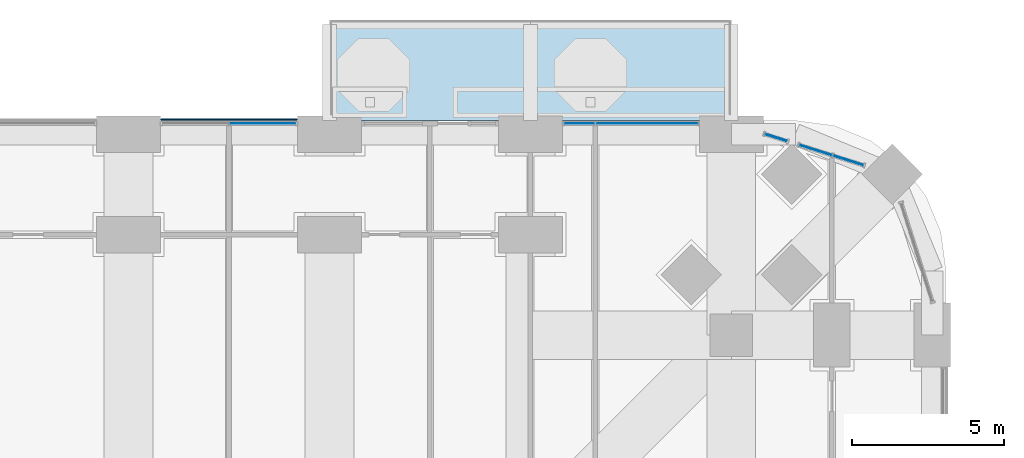
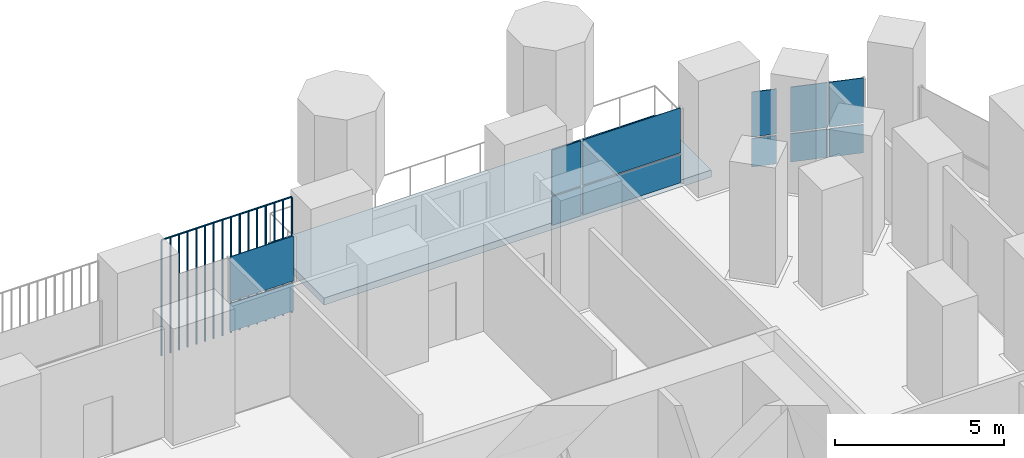
# One storey, part 17 of 27: 13 plates, 1 slab, 4 elements without a shape of their own.
"""IFC4 building model written with IfcOpenShell, lengths in metres."""

from ifc_helpers import new_model, si_unit, direction, frame, origin, origin_2d, place, context, subcontext, project, spatial, polyline, rectangle, outline, extrude, material, layer, layer_set, type_object, element, aggregate, save


model = new_model("IFC4")

# Units and contexts
model_context = context("Model", 3, precision=1e-05, world=origin(), true_north=direction((0.0, 1.0)))
body_context = subcontext(model_context, "Body", "Model", "MODEL_VIEW")
ifc_project = project(units=[si_unit("LENGTHUNIT", "METRE"), si_unit("AREAUNIT", "SQUARE_METRE"), si_unit("VOLUMEUNIT", "CUBIC_METRE"), si_unit("PLANEANGLEUNIT", "RADIAN"), si_unit("MASSUNIT", "GRAM", prefix="KILO")], contexts=[model_context])

# Site, building, storey
site_placement = place(None, origin())
site = spatial("IfcSite", under=ifc_project, at=site_placement, CompositionType="ELEMENT")
building_placement = place(site_placement, origin())
building = spatial("IfcBuilding", under=site, at=building_placement, Name="Cobogo Forest Laboratory Tower", CompositionType="ELEMENT")
storey_placement = place(building_placement, frame((0.0, 0.0, 54.89990234375)))
storey = spatial("IfcBuildingStorey", under=building, at=storey_placement, Name="L12", CompositionType="ELEMENT", Elevation=54.89990234375)

# Slab
ifc_material_1 = material(Name="Concrete HA-40 (C40/50)", Category="concrete")
ifc_layer_1 = layer(ifc_material_1, 0.25)
ifc_layer_set_1 = layer_set([ifc_layer_1], Name="Balcony slab 250")
slab_type = type_object("IfcSlabType", Name="Balcony slab 250", PredefinedType="FLOOR", material=ifc_layer_set_1)
slab_placement = place(storey_placement, frame((0.0, 0.0, -0.25)))
element("IfcSlab", 1, at=slab_placement, inside=storey, type_object=slab_type, Name="Balcony BAL-N2 L12", PredefinedType="FLOOR", context=body_context, shape_type="SweptSolid", body=[
    extrude(outline(polyline([(33.0, 46.64990234375), (46.199951171875, 46.64990234375), (46.199951171875, 49.949951171875), (33.0, 49.949951171875), (33.0, 46.64990234375)])), origin(), (0.0, 0.0, 1.0), 0.25),
])

# Curtain wall, plates
ifc_material_2 = material(Name="Aluminium curtain wall", Category="aluminium")
curtain_wall_type = type_object("IfcCurtainWallType", Name="CW-1 unitised curtain wall, clear glazing, laboratory floors zones A and B", PredefinedType="USERDEFINED", material=ifc_material_2)
curtain_wall_1_placement = place(storey_placement, origin())
curtain_wall_1 = element("IfcCurtainWall", 2, at=curtain_wall_1_placement, inside=storey, type_object=curtain_wall_type, Name="Curtain wall 16 L12", ObjectType="UNITISED CURTAIN WALL", PredefinedType="USERDEFINED")
ifc_material_3 = material(Name="Clear insulated glass", Category="glass")
ifc_layer_2 = layer(ifc_material_3, 0.028076171875)
ifc_layer_set_2 = layer_set([ifc_layer_2], Name="GP-1 clear insulated glass unit 28")
plate_type_1 = type_object("IfcPlateType", Name="GP-1 clear insulated glass unit 28", PredefinedType="CURTAIN_PANEL", material=ifc_layer_set_2)
plate_1_placement = place(storey_placement, frame((50.042724609375, 45.33642578125, 0.0), z_axis=(0.0, 0.0, 1.0), x_axis=(-0.953581409645, 0.301135343623, 0.0)))
plate_1 = element("IfcPlate", 3, at=plate_1_placement, type_object=plate_type_1, Name="CW-1 panel 1.1", PredefinedType="CURTAIN_PANEL", context=body_context, shape_type="SweptSolid", body=[
    extrude(rectangle(XDim=1.027587890625, YDim=0.028076171875, at=origin_2d()), origin(), (0.0, 0.0, 1.0), 1.02001953125),
])
plate_2_placement = place(storey_placement, frame((50.042724609375, 45.33642578125, 1.080078125), z_axis=(0.0, 0.0, 1.0), x_axis=(-0.953581409645, 0.301135343623, 0.0)))
plate_2 = element("IfcPlate", 4, at=plate_2_placement, type_object=plate_type_1, Name="CW-1 panel 1.2", PredefinedType="CURTAIN_PANEL", context=body_context, shape_type="SweptSolid", body=[
    extrude(rectangle(XDim=1.027587890625, YDim=0.028076171875, at=origin_2d()), origin(), (0.0, 0.0, 1.0), 1.6201171875),
])
plate_3_placement = place(storey_placement, frame((48.963623046875, 45.67724609375, 0.0), z_axis=(0.0, 0.0, 1.0), x_axis=(-0.953581409645, 0.301135343623, 0.0)))
plate_3 = element("IfcPlate", 5, at=plate_3_placement, type_object=plate_type_1, Name="CW-1 panel 2.1", PredefinedType="CURTAIN_PANEL", context=body_context, shape_type="SweptSolid", body=[
    extrude(rectangle(XDim=1.11572265625, YDim=0.028076171875, at=origin_2d()), origin(), (0.0, 0.0, 1.0), 1.02001953125),
])
plate_4_placement = place(storey_placement, frame((48.963623046875, 45.67724609375, 1.080078125), z_axis=(0.0, 0.0, 1.0), x_axis=(-0.953581409645, 0.301135343623, 0.0)))
plate_4 = element("IfcPlate", 6, at=plate_4_placement, type_object=plate_type_1, Name="CW-1 panel 2.2", PredefinedType="CURTAIN_PANEL", context=body_context, shape_type="SweptSolid", body=[
    extrude(rectangle(XDim=1.11572265625, YDim=0.028076171875, at=origin_2d()), origin(), (0.0, 0.0, 1.0), 1.6201171875),
])
aggregate(curtain_wall_1, [plate_1, plate_2, plate_3, plate_4])

curtain_wall_2_placement = place(storey_placement, origin())
curtain_wall_2 = element("IfcCurtainWall", 7, at=curtain_wall_2_placement, inside=storey, type_object=curtain_wall_type, Name="Curtain wall 17 L12", ObjectType="UNITISED CURTAIN WALL", PredefinedType="USERDEFINED")
plate_5_placement = place(storey_placement, frame((47.666015625, 46.087158203125, 0.0), z_axis=(0.0, 0.0, 1.0), x_axis=(-0.953581504428, 0.301135043481, 0.0)))
plate_5 = element("IfcPlate", 8, at=plate_5_placement, type_object=plate_type_1, Name="CW-1 panel 1.1", PredefinedType="CURTAIN_PANEL", context=body_context, shape_type="SweptSolid", body=[
    extrude(rectangle(XDim=0.75244140625, YDim=0.028076171875, at=origin_2d()), origin(), (0.0, 0.0, 1.0), 1.02001953125),
])
plate_6_placement = place(storey_placement, frame((47.666015625, 46.087158203125, 1.080078125), z_axis=(0.0, 0.0, 1.0), x_axis=(-0.953581504428, 0.301135043481, 0.0)))
plate_6 = element("IfcPlate", 9, at=plate_6_placement, type_object=plate_type_1, Name="CW-1 panel 1.2", PredefinedType="CURTAIN_PANEL", context=body_context, shape_type="SweptSolid", body=[
    extrude(rectangle(XDim=0.75244140625, YDim=0.028076171875, at=origin_2d()), origin(), (0.0, 0.0, 1.0), 1.6201171875),
])
aggregate(curtain_wall_2, [plate_5, plate_6])

curtain_wall_3_placement = place(storey_placement, origin())
curtain_wall_3 = element("IfcCurtainWall", 10, at=curtain_wall_3_placement, inside=storey, type_object=curtain_wall_type, Name="Curtain wall 18 L12", ObjectType="UNITISED CURTAIN WALL", PredefinedType="USERDEFINED")
plate_7_placement = place(storey_placement, frame((43.422607421875, 46.550048828125, 0.0), z_axis=(0.0, 0.0, 1.0), x_axis=(-1.0, 0.0, 0.0)))
plate_7 = element("IfcPlate", 11, at=plate_7_placement, type_object=plate_type_1, Name="CW-1 panel 1.1", PredefinedType="CURTAIN_PANEL", context=body_context, shape_type="SweptSolid", body=[
    extrude(rectangle(XDim=3.3349609375, YDim=0.028076171875, at=origin_2d()), origin(), (0.0, 0.0, 1.0), 1.02001953125),
])
plate_8_placement = place(storey_placement, frame((43.422607421875, 46.550048828125, 1.080078125), z_axis=(0.0, 0.0, 1.0), x_axis=(-1.0, 0.0, 0.0)))
plate_8 = element("IfcPlate", 12, at=plate_8_placement, type_object=plate_type_1, Name="CW-1 panel 1.2", PredefinedType="CURTAIN_PANEL", context=body_context, shape_type="SweptSolid", body=[
    extrude(rectangle(XDim=3.3349609375, YDim=0.028076171875, at=origin_2d()), origin(), (0.0, 0.0, 1.0), 1.6201171875),
])
plate_9_placement = place(storey_placement, frame((41.202392578125, 46.550048828125, 0.0), z_axis=(0.0, 0.0, 1.0), x_axis=(-1.0, 0.0, 0.0)))
plate_9 = element("IfcPlate", 13, at=plate_9_placement, type_object=plate_type_1, Name="CW-1 panel 2.1", PredefinedType="CURTAIN_PANEL", context=body_context, shape_type="SweptSolid", body=[
    extrude(rectangle(XDim=0.985107421875, YDim=0.028076171875, at=origin_2d()), origin(), (0.0, 0.0, 1.0), 1.02001953125),
])
plate_10_placement = place(storey_placement, frame((41.202392578125, 46.550048828125, 1.080078125), z_axis=(0.0, 0.0, 1.0), x_axis=(-1.0, 0.0, 0.0)))
plate_10 = element("IfcPlate", 14, at=plate_10_placement, type_object=plate_type_1, Name="CW-1 panel 2.2", PredefinedType="CURTAIN_PANEL", context=body_context, shape_type="SweptSolid", body=[
    extrude(rectangle(XDim=0.985107421875, YDim=0.028076171875, at=origin_2d()), origin(), (0.0, 0.0, 1.0), 1.6201171875),
])
aggregate(curtain_wall_3, [plate_7, plate_8, plate_9, plate_10])

curtain_wall_4_placement = place(storey_placement, origin())
curtain_wall_4 = element("IfcCurtainWall", 15, at=curtain_wall_4_placement, inside=storey, type_object=curtain_wall_type, Name="Curtain wall 20 L12", ObjectType="UNITISED CURTAIN WALL", PredefinedType="USERDEFINED")
plate_11_placement = place(storey_placement, frame((30.81005859375, 46.550048828125, 0.0), z_axis=(0.0, 0.0, 1.0), x_axis=(-1.0, 0.0, 0.0)))
plate_11 = element("IfcPlate", 16, at=plate_11_placement, type_object=plate_type_1, Name="CW-1 panel 1.1", PredefinedType="CURTAIN_PANEL", context=body_context, shape_type="SweptSolid", body=[
    extrude(rectangle(XDim=2.159912109375, YDim=0.028076171875, at=origin_2d()), origin(), (0.0, 0.0, 1.0), 1.02001953125),
])
plate_12_placement = place(storey_placement, frame((30.81005859375, 46.550048828125, 1.080078125), z_axis=(0.0, 0.0, 1.0), x_axis=(-1.0, 0.0, 0.0)))
plate_12 = element("IfcPlate", 17, at=plate_12_placement, type_object=plate_type_1, Name="CW-1 panel 1.2", PredefinedType="CURTAIN_PANEL", context=body_context, shape_type="SweptSolid", body=[
    extrude(rectangle(XDim=2.159912109375, YDim=0.028076171875, at=origin_2d()), origin(), (0.0, 0.0, 1.0), 1.6201171875),
])
aggregate(curtain_wall_4, [plate_11, plate_12])

# Plate
ifc_material_4 = material(Name="Terracotta", Category="masonry")
plate_type_2 = type_object("IfcPlateType", Name="TB1 terracotta baguette screen", PredefinedType="USERDEFINED", material=ifc_material_4)
plate_13_placement = place(storey_placement, frame((27.481201171875, 46.677978515625, -0.14990234375)))
element("IfcPlate", 18, at=plate_13_placement, inside=storey, type_object=plate_type_2, Name="Baguette screen N4 L12", ObjectType="BAGUETTE SCREEN", PredefinedType="USERDEFINED", context=body_context, shape_type="SweptSolid", body=[
    extrude(outline(polyline([(0.02880859375, 0.011962890625), (0.011962890625, 0.02880859375), (-0.011962890625, 0.02880859375), (-0.02880859375, 0.011962890625), (-0.02880859375, -0.011962890625), (-0.011962890625, -0.02880859375), (0.011962890625, -0.02880859375), (0.02880859375, -0.011962890625), (0.02880859375, 0.011962890625)])), frame((0.0, 0.0, 4.168701171875), z_axis=(1.0, 0.0, 0.0), x_axis=(0.0, 1.0, 0.0)), (0.0, 0.0, 1.0), 4.4375),
    extrude(outline(polyline([(0.02880859375, 0.011962890625), (0.011962890625, 0.02880859375), (-0.011962890625, 0.02880859375), (-0.02880859375, 0.011962890625), (-0.02880859375, -0.011962890625), (-0.011962890625, -0.02880859375), (0.011962890625, -0.02880859375), (0.02880859375, -0.011962890625), (0.02880859375, 0.011962890625)])), origin(), (0.0, 0.0, 1.0), 4.137451171875),
    extrude(outline(polyline([(0.02880859375, 0.011962890625), (0.011962890625, 0.02880859375), (-0.011962890625, 0.02880859375), (-0.02880859375, 0.011962890625), (-0.02880859375, -0.011962890625), (-0.011962890625, -0.02880859375), (0.011962890625, -0.02880859375), (0.02880859375, -0.011962890625), (0.02880859375, 0.011962890625)])), frame((0.2958984375, 0.0, 0.0)), (0.0, 0.0, 1.0), 4.137451171875),
    extrude(outline(polyline([(0.02880859375, 0.011962890625), (0.011962890625, 0.02880859375), (-0.011962890625, 0.02880859375), (-0.02880859375, 0.011962890625), (-0.02880859375, -0.011962890625), (-0.011962890625, -0.02880859375), (0.011962890625, -0.02880859375), (0.02880859375, -0.011962890625), (0.02880859375, 0.011962890625)])), frame((0.591552734375, 0.0, 0.0)), (0.0, 0.0, 1.0), 4.137451171875),
    extrude(outline(polyline([(0.02880859375, 0.011962890625), (0.011962890625, 0.02880859375), (-0.011962890625, 0.02880859375), (-0.02880859375, 0.011962890625), (-0.02880859375, -0.011962890625), (-0.011962890625, -0.02880859375), (0.011962890625, -0.02880859375), (0.02880859375, -0.011962890625), (0.02880859375, 0.011962890625)])), frame((0.887451171875, 0.0, 0.0)), (0.0, 0.0, 1.0), 4.137451171875),
    extrude(outline(polyline([(0.02880859375, 0.011962890625), (0.011962890625, 0.02880859375), (-0.011962890625, 0.02880859375), (-0.02880859375, 0.011962890625), (-0.02880859375, -0.011962890625), (-0.011962890625, -0.02880859375), (0.011962890625, -0.02880859375), (0.02880859375, -0.011962890625), (0.02880859375, 0.011962890625)])), frame((1.183349609375, 0.0, 0.0)), (0.0, 0.0, 1.0), 4.137451171875),
    extrude(outline(polyline([(0.02880859375, 0.011962890625), (0.011962890625, 0.02880859375), (-0.011962890625, 0.02880859375), (-0.02880859375, 0.011962890625), (-0.02880859375, -0.011962890625), (-0.011962890625, -0.02880859375), (0.011962890625, -0.02880859375), (0.02880859375, -0.011962890625), (0.02880859375, 0.011962890625)])), frame((1.479248046875, 0.0, 0.0)), (0.0, 0.0, 1.0), 4.137451171875),
    extrude(outline(polyline([(0.02880859375, 0.011962890625), (0.011962890625, 0.02880859375), (-0.011962890625, 0.02880859375), (-0.02880859375, 0.011962890625), (-0.02880859375, -0.011962890625), (-0.011962890625, -0.02880859375), (0.011962890625, -0.02880859375), (0.02880859375, -0.011962890625), (0.02880859375, 0.011962890625)])), frame((1.77490234375, 0.0, 0.0)), (0.0, 0.0, 1.0), 4.137451171875),
    extrude(outline(polyline([(0.02880859375, 0.011962890625), (0.011962890625, 0.02880859375), (-0.011962890625, 0.02880859375), (-0.02880859375, 0.011962890625), (-0.02880859375, -0.011962890625), (-0.011962890625, -0.02880859375), (0.011962890625, -0.02880859375), (0.02880859375, -0.011962890625), (0.02880859375, 0.011962890625)])), frame((2.07080078125, 0.0, 0.0)), (0.0, 0.0, 1.0), 4.137451171875),
    extrude(outline(polyline([(0.02880859375, 0.011962890625), (0.011962890625, 0.02880859375), (-0.011962890625, 0.02880859375), (-0.02880859375, 0.011962890625), (-0.02880859375, -0.011962890625), (-0.011962890625, -0.02880859375), (0.011962890625, -0.02880859375), (0.02880859375, -0.011962890625), (0.02880859375, 0.011962890625)])), frame((2.36669921875, 0.0, 0.0)), (0.0, 0.0, 1.0), 4.137451171875),
    extrude(outline(polyline([(0.02880859375, 0.011962890625), (0.011962890625, 0.02880859375), (-0.011962890625, 0.02880859375), (-0.02880859375, 0.011962890625), (-0.02880859375, -0.011962890625), (-0.011962890625, -0.02880859375), (0.011962890625, -0.02880859375), (0.02880859375, -0.011962890625), (0.02880859375, 0.011962890625)])), frame((2.66259765625, 0.0, 0.0)), (0.0, 0.0, 1.0), 4.137451171875),
    extrude(outline(polyline([(0.02880859375, 0.011962890625), (0.011962890625, 0.02880859375), (-0.011962890625, 0.02880859375), (-0.02880859375, 0.011962890625), (-0.02880859375, -0.011962890625), (-0.011962890625, -0.02880859375), (0.011962890625, -0.02880859375), (0.02880859375, -0.011962890625), (0.02880859375, 0.011962890625)])), frame((2.958251953125, 0.0, 0.0)), (0.0, 0.0, 1.0), 4.137451171875),
    extrude(outline(polyline([(0.02880859375, 0.011962890625), (0.011962890625, 0.02880859375), (-0.011962890625, 0.02880859375), (-0.02880859375, 0.011962890625), (-0.02880859375, -0.011962890625), (-0.011962890625, -0.02880859375), (0.011962890625, -0.02880859375), (0.02880859375, -0.011962890625), (0.02880859375, 0.011962890625)])), frame((3.254150390625, 0.0, 0.0)), (0.0, 0.0, 1.0), 4.137451171875),
    extrude(outline(polyline([(0.02880859375, 0.011962890625), (0.011962890625, 0.02880859375), (-0.011962890625, 0.02880859375), (-0.02880859375, 0.011962890625), (-0.02880859375, -0.011962890625), (-0.011962890625, -0.02880859375), (0.011962890625, -0.02880859375), (0.02880859375, -0.011962890625), (0.02880859375, 0.011962890625)])), frame((3.550048828125, 0.0, 0.0)), (0.0, 0.0, 1.0), 4.137451171875),
    extrude(outline(polyline([(0.02880859375, 0.011962890625), (0.011962890625, 0.02880859375), (-0.011962890625, 0.02880859375), (-0.02880859375, 0.011962890625), (-0.02880859375, -0.011962890625), (-0.011962890625, -0.02880859375), (0.011962890625, -0.02880859375), (0.02880859375, -0.011962890625), (0.02880859375, 0.011962890625)])), frame((3.845947265625, 0.0, 0.0)), (0.0, 0.0, 1.0), 4.137451171875),
    extrude(outline(polyline([(0.02880859375, 0.011962890625), (0.011962890625, 0.02880859375), (-0.011962890625, 0.02880859375), (-0.02880859375, 0.011962890625), (-0.02880859375, -0.011962890625), (-0.011962890625, -0.02880859375), (0.011962890625, -0.02880859375), (0.02880859375, -0.011962890625), (0.02880859375, 0.011962890625)])), frame((4.1416015625, 0.0, 0.0)), (0.0, 0.0, 1.0), 4.137451171875),
    extrude(outline(polyline([(0.02880859375, 0.011962890625), (0.011962890625, 0.02880859375), (-0.011962890625, 0.02880859375), (-0.02880859375, 0.011962890625), (-0.02880859375, -0.011962890625), (-0.011962890625, -0.02880859375), (0.011962890625, -0.02880859375), (0.02880859375, -0.011962890625), (0.02880859375, 0.011962890625)])), frame((4.4375, 0.0, 0.0)), (0.0, 0.0, 1.0), 4.137451171875),
])

save(model, "model.ifc")
